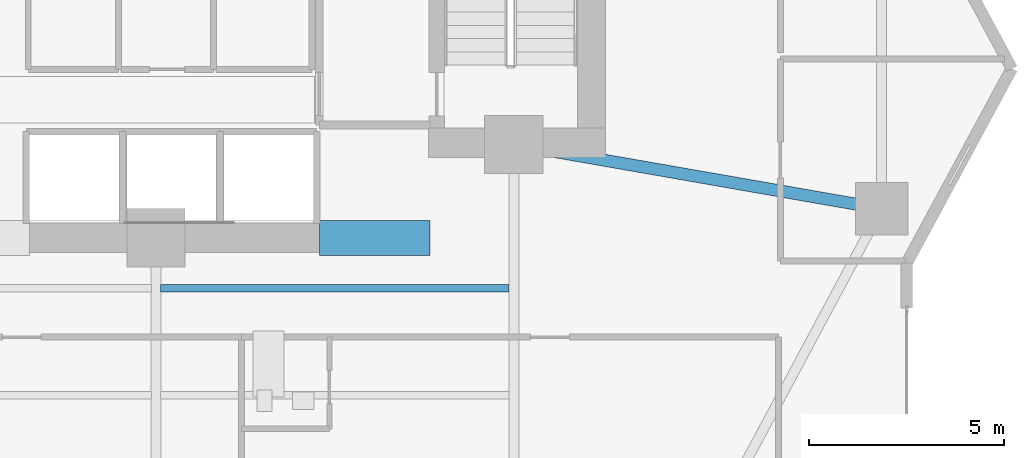
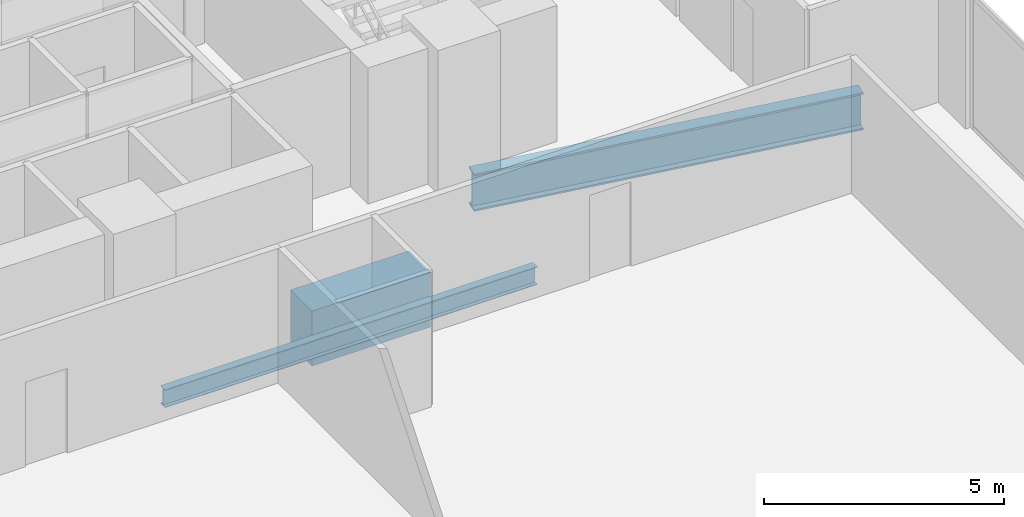
# One storey, part 12 of 29: 3 beams.
"""IFC4 building model written with IfcOpenShell, lengths in metres."""

import ifcopenshell
import ifcopenshell.guid

model = None  # the IFC model being written
_history = None  # IfcOwnerHistory: only IFC2X3 demands one
_inside = {}  # id of a spatial element -> (the spatial element, [elements in it])
_under = {}  # id of a project, library or spatial element -> (it, [spatial elements below it])
_declared = {}  # id of a project -> (the project, [libraries it declares])
_typed = {}  # id of a type object -> (the type object, [elements of that type])
_made_of = {}  # id of a material, layer set ... -> (it, [elements and type objects made of it])


def new_model(schema):
    """Start an empty IFC model of exactly this schema.

    Asked for "IFC4X3", IfcOpenShell would pick the latest addendum, in which some entities
    have other attributes; the version numbers below select the first issue.
    IFC2X3 requires an IfcOwnerHistory on every rooted entity: one is made here for all.
    """
    global model, _history
    if schema == "IFC4X3":
        model = ifcopenshell.file(schema_version=(4, 3, 0, 0))
    else:
        model = ifcopenshell.file(schema=schema)
    _inside.clear()
    _under.clear()
    _declared.clear()
    _typed.clear()
    _made_of.clear()
    _history = None
    if model.schema == "IFC2X3":
        org = make("IfcOrganization", Name="unknown")
        user = make(
            "IfcPersonAndOrganization",
            ThePerson=make("IfcPerson", FamilyName="unknown"),
            TheOrganization=org,
        )
        app = make(
            "IfcApplication",
            ApplicationDeveloper=org,
            Version="unknown",
            ApplicationFullName="unknown",
            ApplicationIdentifier="unknown",
        )
        _history = make(
            "IfcOwnerHistory",
            OwningUser=user,
            OwningApplication=app,
            ChangeAction="ADDED",
            CreationDate=0,
        )
    return model


def make(cls, **values):
    """One entity of the class cls with the attributes given. An attribute that is None is left unset."""
    return model.create_entity(
        cls, **{name: value for name, value in values.items() if value is not None}
    )


def rooted(cls, **values):
    """An entity with a GlobalId (a new one), such as an element, a storey or a relation."""
    return make(cls, GlobalId=ifcopenshell.guid.new(), OwnerHistory=_history, **values)


def si_unit(unit_type, name, prefix=None):
    """IfcSIUnit, for example si_unit("LENGTHUNIT", "METRE", prefix="MILLI")."""
    return make("IfcSIUnit", UnitType=unit_type, Prefix=prefix, Name=name)


def assignment(units):
    """IfcUnitAssignment: the units of a project."""
    return None if units is None else make("IfcUnitAssignment", Units=units)


def point(xyz):
    """IfcCartesianPoint."""
    return None if xyz is None else make("IfcCartesianPoint", Coordinates=xyz)


def direction(xyz):
    """IfcDirection."""
    return None if xyz is None else make("IfcDirection", DirectionRatios=xyz)


def frame(location, z_axis=None, x_axis=None):
    """IfcAxis2Placement3D, a coordinate frame: its origin and axes. An axis left out is left unset."""
    return make(
        "IfcAxis2Placement3D",
        Location=point(location),
        Axis=direction(z_axis),
        RefDirection=direction(x_axis),
    )


def frame_2d(location, x_axis=None):
    """IfcAxis2Placement2D, a coordinate frame in the plane: its origin and x axis."""
    return make(
        "IfcAxis2Placement2D", Location=point(location), RefDirection=direction(x_axis)
    )


def origin():
    """The frame at (0, 0, 0) with its axes left unset."""
    return frame((0.0, 0.0, 0.0))


def origin_2d():
    """The frame at (0, 0) in the plane with its x axis left unset."""
    return frame_2d((0.0, 0.0))


def place(relative_to, where):
    """IfcLocalPlacement: puts the frame where relative to a parent placement (None: the world)."""
    return make(
        "IfcLocalPlacement", PlacementRelTo=relative_to, RelativePlacement=where
    )


def context(
    kind, dimensions, precision=None, world=None, true_north=None, identifier=None
):
    """IfcGeometricRepresentationContext, for example the 3D "Model" context."""
    return make(
        "IfcGeometricRepresentationContext",
        ContextIdentifier=identifier,
        ContextType=kind,
        CoordinateSpaceDimension=dimensions,
        Precision=precision,
        WorldCoordinateSystem=world,
        TrueNorth=true_north,
    )


def subcontext(parent, identifier, kind, view, scale=None):
    """IfcGeometricRepresentationSubContext, for example "Body" below "Model"."""
    return make(
        "IfcGeometricRepresentationSubContext",
        ContextIdentifier=identifier,
        ContextType=kind,
        ParentContext=parent,
        TargetScale=scale,
        TargetView=view,
    )


def project(units=None, contexts=None):
    """IfcProject with its units and contexts."""
    return rooted(
        "IfcProject",
        Name="project",
        RepresentationContexts=contexts,
        UnitsInContext=assignment(units),
    )


def spatial(cls, under=None, at=None, **own):
    """A site, building, storey or space (cls), placed at a placement, below another one or the project."""
    s = rooted(cls, ObjectPlacement=at, **own)
    if under is not None:
        _under.setdefault(under.id(), (under, []))[1].append(s)
    return s


def profile(cls, at=None, kind="AREA", **sizes):
    """A parametric profile (cls). Its sizes go by their IFC names, for example OverallWidth=200.0."""
    return make(cls, ProfileType=kind, Position=at, **sizes)


def rectangle(**sizes):
    """IfcRectangleProfileDef."""
    return profile("IfcRectangleProfileDef", **sizes)


def i_section(**sizes):
    """IfcIShapeProfileDef."""
    return profile("IfcIShapeProfileDef", **sizes)


def extrude(swept, where, along, depth):
    """IfcExtrudedAreaSolid: the profile swept, set in the frame where, extruded along a direction by depth."""
    return make(
        "IfcExtrudedAreaSolid",
        SweptArea=swept,
        Position=where,
        ExtrudedDirection=direction(along),
        Depth=depth,
    )


def shape(context_of_items, identifier, shape_type, items):
    """IfcShapeRepresentation: the items that make up one representation, for example the "Body"."""
    return make(
        "IfcShapeRepresentation",
        ContextOfItems=context_of_items,
        RepresentationIdentifier=identifier,
        RepresentationType=shape_type,
        Items=items,
    )


def material(Name=None, Category=None):
    """IfcMaterial."""
    return make("IfcMaterial", Name=Name, Category=Category)


def material_profile(
    of_material, cross_section, Name=None, Category=None, Priority=None
):
    """IfcMaterialProfile: a cross section and its material."""
    return make(
        "IfcMaterialProfile",
        Name=Name,
        Material=of_material,
        Profile=cross_section,
        Priority=Priority,
        Category=Category,
    )


def profile_set(profiles, Name=None, composite=None):
    """IfcMaterialProfileSet."""
    return make(
        "IfcMaterialProfileSet",
        Name=Name,
        MaterialProfiles=profiles,
        CompositeProfile=composite,
    )


def made_of(thing, what):
    """Note that an element or type object is made of a material, layer set ...; save() writes the relation."""
    if what is not None:
        _made_of.setdefault(what.id(), (what, []))[1].append(thing)
    return thing


def type_object(cls, material=None, **own):
    """A type object (cls), such as IfcWallType, which elements share."""
    return made_of(rooted(cls, **own), material)


def element(
    cls,
    number,
    at=None,
    inside=None,
    cuts=None,
    type_object=None,
    material=None,
    context=None,
    identifier="Body",
    shape_type=None,
    held_by="IfcProductDefinitionShape",
    body=None,
    shapes=None,
    **own,
):
    """One element of the class cls, such as IfcWall. Its Tag is "e" and its number.

    at: its placement. inside: the storey or other place that contains it. cuts: it is an
    opening in that element (IfcRelVoidsElement). A single representation is given by context,
    identifier, shape_type and body (its items); several are given by shapes. held_by: the class
    of the entity that holds the representations. save() writes the other relations.
    """
    e = rooted(cls, Tag="e%d" % number, ObjectPlacement=at, **own)
    if body is not None:
        shapes = [shape(context, identifier, shape_type, body)]
    if shapes is not None:
        e.Representation = make(held_by, Representations=shapes)
    if inside is not None:
        _inside.setdefault(inside.id(), (inside, []))[1].append(e)
    if cuts is not None:
        rooted(
            "IfcRelVoidsElement", RelatingBuildingElement=cuts, RelatedOpeningElement=e
        )
    if type_object is not None:
        _typed.setdefault(type_object.id(), (type_object, []))[1].append(e)
    return made_of(e, material)


def aggregate(whole, parts):
    """IfcRelAggregates: a whole, such as a stair, and the parts it consists of."""
    return rooted("IfcRelAggregates", RelatingObject=whole, RelatedObjects=parts)


def save(model, path):
    """Write the relations noted so far, then the file.

    IfcRelAggregates (storeys below a building ...), IfcRelContainedInSpatialStructure (elements
    in a storey), IfcRelDefinesByType, IfcRelAssociatesMaterial and IfcRelDeclares: one each for
    every whole, place, type object, material and project.
    """
    for whole, parts in _under.values():
        aggregate(whole, parts)
    for where, things in _inside.values():
        rooted(
            "IfcRelContainedInSpatialStructure",
            RelatedElements=things,
            RelatingStructure=where,
        )
    for kind, things in _typed.values():
        rooted("IfcRelDefinesByType", RelatedObjects=things, RelatingType=kind)
    for what, things in _made_of.values():
        rooted("IfcRelAssociatesMaterial", RelatedObjects=things, RelatingMaterial=what)
    for by, libraries in _declared.values():
        rooted("IfcRelDeclares", RelatingContext=by, RelatedDefinitions=libraries)
    model.write(path)


model = new_model("IFC4")

# Units and contexts
model_context = context("Model", 3, precision=1e-05, world=origin(), true_north=direction((0.0, 1.0)))
body_context = subcontext(model_context, "Body", "Model", "MODEL_VIEW")
ifc_project = project(units=[si_unit("LENGTHUNIT", "METRE"), si_unit("AREAUNIT", "SQUARE_METRE"), si_unit("VOLUMEUNIT", "CUBIC_METRE"), si_unit("PLANEANGLEUNIT", "RADIAN"), si_unit("MASSUNIT", "GRAM", prefix="KILO")], contexts=[model_context])

# Site, building, storey
site_placement = place(None, origin())
site = spatial("IfcSite", under=ifc_project, at=site_placement, CompositionType="ELEMENT")
building_placement = place(site_placement, origin())
building = spatial("IfcBuilding", under=site, at=building_placement, Name="Zuhayl Quay Hotel", CompositionType="ELEMENT")
storey_placement = place(building_placement, frame((0.0, 0.0, 113.89990234375)))
storey = spatial("IfcBuildingStorey", under=building, at=storey_placement, Name="L28", CompositionType="ELEMENT", Elevation=113.89990234375)

# Beams
ifc_material_1 = material(Name="Concrete C60/75", Category="concrete")
ifc_material_profile_1 = material_profile(ifc_material_1, rectangle(XDim=0.89990234375, YDim=1.39990234375, at=origin_2d()), Name="RC900X1400")
ifc_profile_set_1 = profile_set([ifc_material_profile_1], Name="Concrete C60/75")
beam_type_1 = type_object("IfcBeamType", Name="BM_CB1_RC900", PredefinedType="T_BEAM", material=ifc_profile_set_1)
beam_1_placement = place(storey_placement, frame((8.800048828125, 2.14990234375, -0.919921875), z_axis=(1.0, 0.0, 0.0), x_axis=(0.0, 1.0, 0.0)))
element("IfcBeam", 1, at=beam_1_placement, inside=storey, type_object=beam_type_1, Name="L28 Core Coupling Beam SE", PredefinedType="T_BEAM", context=body_context, shape_type="SweptSolid", body=[
    extrude(rectangle(XDim=0.89990234375, YDim=1.39990234375, at=origin_2d()), origin(), (0.0, 0.0, 1.0), 2.849853515625),
])
ifc_material_2 = material(Name="Steel ASTM A992 Grade 50", Category="steel")
ifc_material_profile_2 = material_profile(ifc_material_2, i_section(OverallWidth=0.18994140625, OverallDepth=0.45703125, WebThickness=0.009033203125, FlangeThickness=0.014404296875, at=origin_2d()), Name="W18X50")
ifc_profile_set_2 = profile_set([ifc_material_profile_2], Name="Steel ASTM A992 Grade 50")
beam_type_2 = type_object("IfcBeamType", Name="BM_J2_W18X50", PredefinedType="JOIST", material=ifc_profile_set_2)
beam_2_placement = place(storey_placement, frame((4.718994140625, 0.85009765625, -0.448486328125), z_axis=(1.0, 0.0, 0.0), x_axis=(0.0, 1.0, 0.0)))
element("IfcBeam", 2, at=beam_2_placement, inside=storey, type_object=beam_type_2, Name="L28 Floor Beam FJ_L28_9_3", PredefinedType="JOIST", context=body_context, shape_type="SweptSolid", body=[
    extrude(i_section(OverallWidth=0.18994140625, OverallDepth=0.45703125, WebThickness=0.009033203125, FlangeThickness=0.014404296875, at=origin_2d()), origin(), (0.0, 0.0, 1.0), 8.9619140625),
])
ifc_material_profile_3 = material_profile(ifc_material_2, i_section(OverallWidth=0.31005859375, OverallDepth=0.949951171875, WebThickness=0.0244140625, FlangeThickness=0.0439453125, at=origin_2d()), Name="W36X256")
ifc_profile_set_3 = profile_set([ifc_material_profile_3], Name="Steel ASTM A992 Grade 50")
beam_type_3 = type_object("IfcBeamType", Name="BM_PG1_W36X256", PredefinedType="BEAM", material=ifc_profile_set_3)
beam_3_placement = place(storey_placement, frame((14.243408203125, 4.47265625, -0.69482421875), z_axis=(0.985097302632, -0.171997977741, 0.0), x_axis=(0.171997977741, 0.985097302632, 0.0)))
element("IfcBeam", 3, at=beam_3_placement, inside=storey, type_object=beam_type_3, Name="L28 Floor Beam FG_E_L28_1", PredefinedType="BEAM", context=body_context, shape_type="SweptSolid", body=[
    extrude(i_section(OverallWidth=0.31005859375, OverallDepth=0.949951171875, WebThickness=0.0244140625, FlangeThickness=0.0439453125, at=origin_2d()), origin(), (0.0, 0.0, 1.0), 8.64306640625),
])

save(model, "model.ifc")
